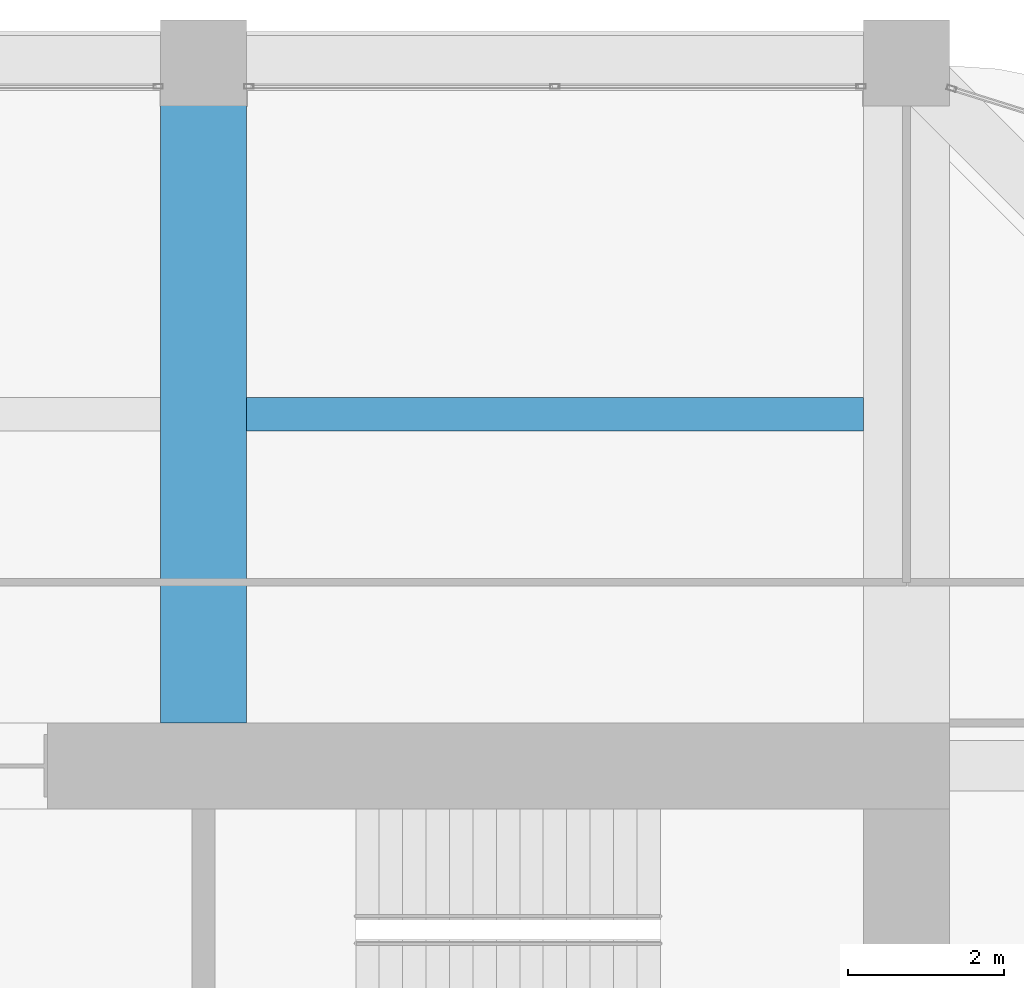
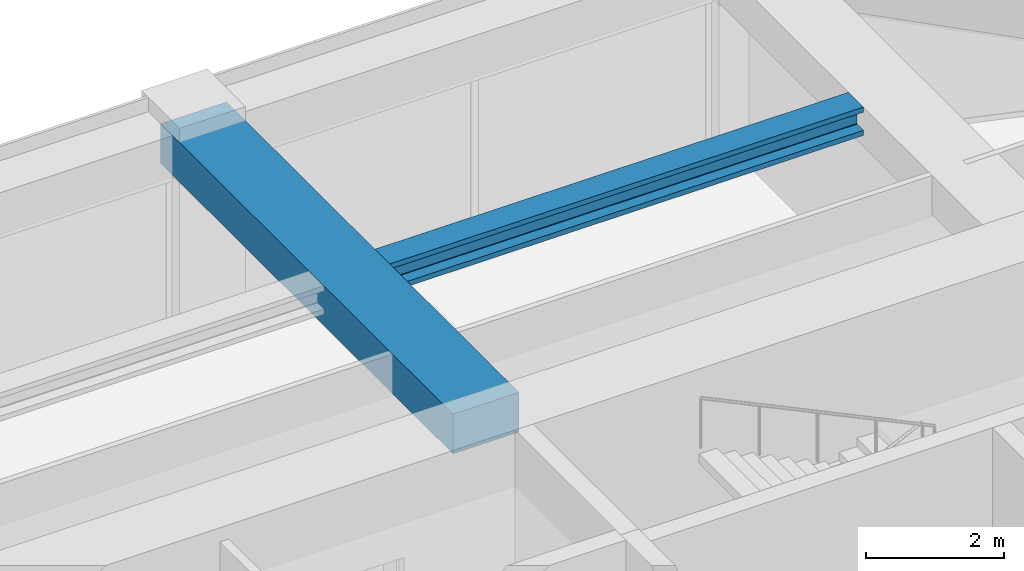
# One storey, part 34 of 44: 2 beams.
"""IFC4 building model written with IfcOpenShell, lengths in metres."""

import ifcopenshell
import ifcopenshell.guid

model = None  # the IFC model being written
_history = None  # IfcOwnerHistory: only IFC2X3 demands one
_inside = {}  # id of a spatial element -> (the spatial element, [elements in it])
_under = {}  # id of a project, library or spatial element -> (it, [spatial elements below it])
_declared = {}  # id of a project -> (the project, [libraries it declares])
_typed = {}  # id of a type object -> (the type object, [elements of that type])
_made_of = {}  # id of a material, layer set ... -> (it, [elements and type objects made of it])


def new_model(schema):
    """Start an empty IFC model of exactly this schema.

    Asked for "IFC4X3", IfcOpenShell would pick the latest addendum, in which some entities
    have other attributes; the version numbers below select the first issue.
    IFC2X3 requires an IfcOwnerHistory on every rooted entity: one is made here for all.
    """
    global model, _history
    if schema == "IFC4X3":
        model = ifcopenshell.file(schema_version=(4, 3, 0, 0))
    else:
        model = ifcopenshell.file(schema=schema)
    _inside.clear()
    _under.clear()
    _declared.clear()
    _typed.clear()
    _made_of.clear()
    _history = None
    if model.schema == "IFC2X3":
        org = make("IfcOrganization", Name="unknown")
        user = make(
            "IfcPersonAndOrganization",
            ThePerson=make("IfcPerson", FamilyName="unknown"),
            TheOrganization=org,
        )
        app = make(
            "IfcApplication",
            ApplicationDeveloper=org,
            Version="unknown",
            ApplicationFullName="unknown",
            ApplicationIdentifier="unknown",
        )
        _history = make(
            "IfcOwnerHistory",
            OwningUser=user,
            OwningApplication=app,
            ChangeAction="ADDED",
            CreationDate=0,
        )
    return model


def make(cls, **values):
    """One entity of the class cls with the attributes given. An attribute that is None is left unset."""
    return model.create_entity(
        cls, **{name: value for name, value in values.items() if value is not None}
    )


def rooted(cls, **values):
    """An entity with a GlobalId (a new one), such as an element, a storey or a relation."""
    return make(cls, GlobalId=ifcopenshell.guid.new(), OwnerHistory=_history, **values)


def si_unit(unit_type, name, prefix=None):
    """IfcSIUnit, for example si_unit("LENGTHUNIT", "METRE", prefix="MILLI")."""
    return make("IfcSIUnit", UnitType=unit_type, Prefix=prefix, Name=name)


def assignment(units):
    """IfcUnitAssignment: the units of a project."""
    return None if units is None else make("IfcUnitAssignment", Units=units)


def point(xyz):
    """IfcCartesianPoint."""
    return None if xyz is None else make("IfcCartesianPoint", Coordinates=xyz)


def direction(xyz):
    """IfcDirection."""
    return None if xyz is None else make("IfcDirection", DirectionRatios=xyz)


def frame(location, z_axis=None, x_axis=None):
    """IfcAxis2Placement3D, a coordinate frame: its origin and axes. An axis left out is left unset."""
    return make(
        "IfcAxis2Placement3D",
        Location=point(location),
        Axis=direction(z_axis),
        RefDirection=direction(x_axis),
    )


def frame_2d(location, x_axis=None):
    """IfcAxis2Placement2D, a coordinate frame in the plane: its origin and x axis."""
    return make(
        "IfcAxis2Placement2D", Location=point(location), RefDirection=direction(x_axis)
    )


def origin():
    """The frame at (0, 0, 0) with its axes left unset."""
    return frame((0.0, 0.0, 0.0))


def origin_2d():
    """The frame at (0, 0) in the plane with its x axis left unset."""
    return frame_2d((0.0, 0.0))


def place(relative_to, where):
    """IfcLocalPlacement: puts the frame where relative to a parent placement (None: the world)."""
    return make(
        "IfcLocalPlacement", PlacementRelTo=relative_to, RelativePlacement=where
    )


def context(
    kind, dimensions, precision=None, world=None, true_north=None, identifier=None
):
    """IfcGeometricRepresentationContext, for example the 3D "Model" context."""
    return make(
        "IfcGeometricRepresentationContext",
        ContextIdentifier=identifier,
        ContextType=kind,
        CoordinateSpaceDimension=dimensions,
        Precision=precision,
        WorldCoordinateSystem=world,
        TrueNorth=true_north,
    )


def subcontext(parent, identifier, kind, view, scale=None):
    """IfcGeometricRepresentationSubContext, for example "Body" below "Model"."""
    return make(
        "IfcGeometricRepresentationSubContext",
        ContextIdentifier=identifier,
        ContextType=kind,
        ParentContext=parent,
        TargetScale=scale,
        TargetView=view,
    )


def project(units=None, contexts=None):
    """IfcProject with its units and contexts."""
    return rooted(
        "IfcProject",
        Name="project",
        RepresentationContexts=contexts,
        UnitsInContext=assignment(units),
    )


def spatial(cls, under=None, at=None, **own):
    """A site, building, storey or space (cls), placed at a placement, below another one or the project."""
    s = rooted(cls, ObjectPlacement=at, **own)
    if under is not None:
        _under.setdefault(under.id(), (under, []))[1].append(s)
    return s


def profile(cls, at=None, kind="AREA", **sizes):
    """A parametric profile (cls). Its sizes go by their IFC names, for example OverallWidth=200.0."""
    return make(cls, ProfileType=kind, Position=at, **sizes)


def rectangle(**sizes):
    """IfcRectangleProfileDef."""
    return profile("IfcRectangleProfileDef", **sizes)


def i_section(**sizes):
    """IfcIShapeProfileDef."""
    return profile("IfcIShapeProfileDef", **sizes)


def extrude(swept, where, along, depth):
    """IfcExtrudedAreaSolid: the profile swept, set in the frame where, extruded along a direction by depth."""
    return make(
        "IfcExtrudedAreaSolid",
        SweptArea=swept,
        Position=where,
        ExtrudedDirection=direction(along),
        Depth=depth,
    )


def shape(context_of_items, identifier, shape_type, items):
    """IfcShapeRepresentation: the items that make up one representation, for example the "Body"."""
    return make(
        "IfcShapeRepresentation",
        ContextOfItems=context_of_items,
        RepresentationIdentifier=identifier,
        RepresentationType=shape_type,
        Items=items,
    )


def material(Name=None, Category=None):
    """IfcMaterial."""
    return make("IfcMaterial", Name=Name, Category=Category)


def material_profile(
    of_material, cross_section, Name=None, Category=None, Priority=None
):
    """IfcMaterialProfile: a cross section and its material."""
    return make(
        "IfcMaterialProfile",
        Name=Name,
        Material=of_material,
        Profile=cross_section,
        Priority=Priority,
        Category=Category,
    )


def profile_set(profiles, Name=None, composite=None):
    """IfcMaterialProfileSet."""
    return make(
        "IfcMaterialProfileSet",
        Name=Name,
        MaterialProfiles=profiles,
        CompositeProfile=composite,
    )


def made_of(thing, what):
    """Note that an element or type object is made of a material, layer set ...; save() writes the relation."""
    if what is not None:
        _made_of.setdefault(what.id(), (what, []))[1].append(thing)
    return thing


def type_object(cls, material=None, **own):
    """A type object (cls), such as IfcWallType, which elements share."""
    return made_of(rooted(cls, **own), material)


def element(
    cls,
    number,
    at=None,
    inside=None,
    cuts=None,
    type_object=None,
    material=None,
    context=None,
    identifier="Body",
    shape_type=None,
    held_by="IfcProductDefinitionShape",
    body=None,
    shapes=None,
    **own,
):
    """One element of the class cls, such as IfcWall. Its Tag is "e" and its number.

    at: its placement. inside: the storey or other place that contains it. cuts: it is an
    opening in that element (IfcRelVoidsElement). A single representation is given by context,
    identifier, shape_type and body (its items); several are given by shapes. held_by: the class
    of the entity that holds the representations. save() writes the other relations.
    """
    e = rooted(cls, Tag="e%d" % number, ObjectPlacement=at, **own)
    if body is not None:
        shapes = [shape(context, identifier, shape_type, body)]
    if shapes is not None:
        e.Representation = make(held_by, Representations=shapes)
    if inside is not None:
        _inside.setdefault(inside.id(), (inside, []))[1].append(e)
    if cuts is not None:
        rooted(
            "IfcRelVoidsElement", RelatingBuildingElement=cuts, RelatedOpeningElement=e
        )
    if type_object is not None:
        _typed.setdefault(type_object.id(), (type_object, []))[1].append(e)
    return made_of(e, material)


def aggregate(whole, parts):
    """IfcRelAggregates: a whole, such as a stair, and the parts it consists of."""
    return rooted("IfcRelAggregates", RelatingObject=whole, RelatedObjects=parts)


def save(model, path):
    """Write the relations noted so far, then the file.

    IfcRelAggregates (storeys below a building ...), IfcRelContainedInSpatialStructure (elements
    in a storey), IfcRelDefinesByType, IfcRelAssociatesMaterial and IfcRelDeclares: one each for
    every whole, place, type object, material and project.
    """
    for whole, parts in _under.values():
        aggregate(whole, parts)
    for where, things in _inside.values():
        rooted(
            "IfcRelContainedInSpatialStructure",
            RelatedElements=things,
            RelatingStructure=where,
        )
    for kind, things in _typed.values():
        rooted("IfcRelDefinesByType", RelatedObjects=things, RelatingType=kind)
    for what, things in _made_of.values():
        rooted("IfcRelAssociatesMaterial", RelatedObjects=things, RelatingMaterial=what)
    for by, libraries in _declared.values():
        rooted("IfcRelDeclares", RelatingContext=by, RelatedDefinitions=libraries)
    model.write(path)


model = new_model("IFC4")

# Units and contexts
model_context = context("Model", 3, precision=1e-05, world=origin(), true_north=direction((0.0, 1.0)))
body_context = subcontext(model_context, "Body", "Model", "MODEL_VIEW")
ifc_project = project(units=[si_unit("LENGTHUNIT", "METRE"), si_unit("AREAUNIT", "SQUARE_METRE"), si_unit("VOLUMEUNIT", "CUBIC_METRE"), si_unit("PLANEANGLEUNIT", "RADIAN"), si_unit("MASSUNIT", "GRAM", prefix="KILO")], contexts=[model_context])

# Site, building, storey
site_placement = place(None, origin())
site = spatial("IfcSite", under=ifc_project, at=site_placement, CompositionType="ELEMENT")
building_placement = place(site_placement, origin())
building = spatial("IfcBuilding", under=site, at=building_placement, Name="Zorevar Civic Tower", CompositionType="ELEMENT")
storey_placement = place(building_placement, frame((0.0, 0.0, 271.39990234375)))
storey = spatial("IfcBuildingStorey", under=building, at=storey_placement, Name="L66", CompositionType="ELEMENT", Elevation=271.39990234375)

# Beams
ifc_material_1 = material(Name="Concrete C50/60", Category="concrete")
ifc_material_profile_1 = material_profile(ifc_material_1, rectangle(XDim=1.10009765625, YDim=0.699951171875, at=origin_2d()), Name="RC 1100x700")
ifc_profile_set_1 = profile_set([ifc_material_profile_1], Name="Concrete C50/60")
beam_type_1 = type_object("IfcBeamType", Name="Beam RC 1100x700", PredefinedType="BEAM", material=ifc_profile_set_1)
beam_1_placement = place(storey_placement, frame((36.0, 36.550048828125, 3.400146484375), z_axis=(0.0, 1.0, 0.0), x_axis=(-1.0, 0.0, 0.0)))
element("IfcBeam", 1, at=beam_1_placement, inside=storey, type_object=beam_type_1, Name="Girder L67", PredefinedType="BEAM", context=body_context, shape_type="SweptSolid", body=[
    extrude(rectangle(XDim=1.10009765625, YDim=0.699951171875, at=origin_2d()), origin(), (0.0, 0.0, 1.0), 8.449951171875),
])
ifc_material_2 = material(Name="Steel S460M (HISTAR 460)", Category="steel")
ifc_material_profile_2 = material_profile(ifc_material_2, i_section(OverallWidth=0.431884765625, OverallDepth=0.498046875, WebThickness=0.0556640625, FlangeThickness=0.0888671875, FilletRadius=0.014892578125, at=origin_2d()), Name="HD 400x744")
ifc_profile_set_2 = profile_set([ifc_material_profile_2], Name="Steel S460M (HISTAR 460)")
beam_type_2 = type_object("IfcBeamType", Name="Core bay beam HD 400x744", PredefinedType="BEAM", material=ifc_profile_set_2)
beam_2_placement = place(storey_placement, frame((36.550048828125, 40.5, 3.5009765625), z_axis=(1.0, 0.0, 0.0), x_axis=(0.0, 1.0, 0.0)))
element("IfcBeam", 2, at=beam_2_placement, inside=storey, type_object=beam_type_2, Name="Secondary beam L67", PredefinedType="BEAM", context=body_context, shape_type="SweptSolid", body=[
    extrude(i_section(OverallWidth=0.431884765625, OverallDepth=0.498046875, WebThickness=0.0556640625, FlangeThickness=0.0888671875, FilletRadius=0.014892578125, at=origin_2d()), origin(), (0.0, 0.0, 1.0), 7.89990234375),
])

save(model, "model.ifc")
